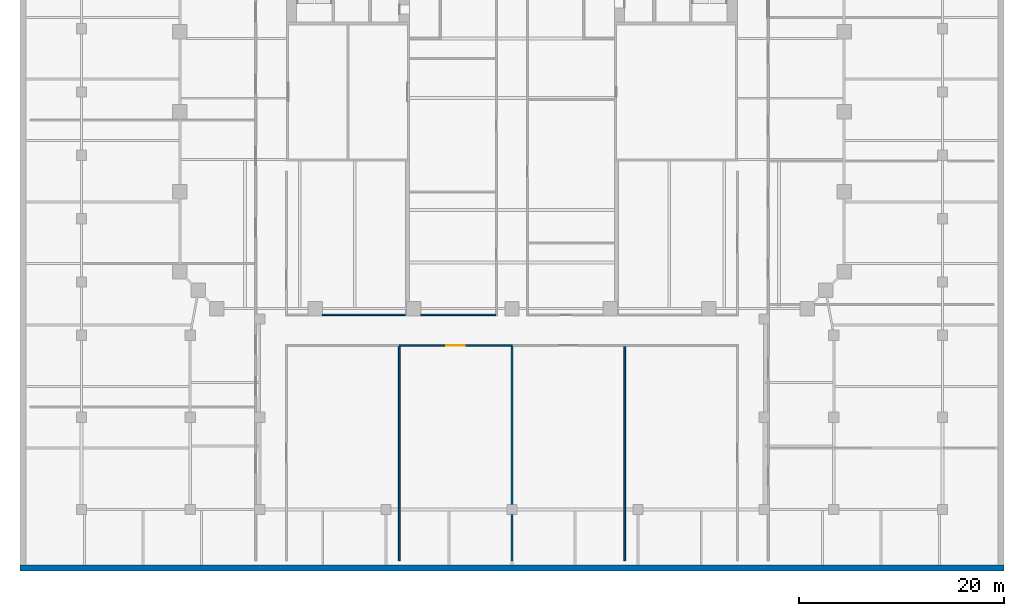
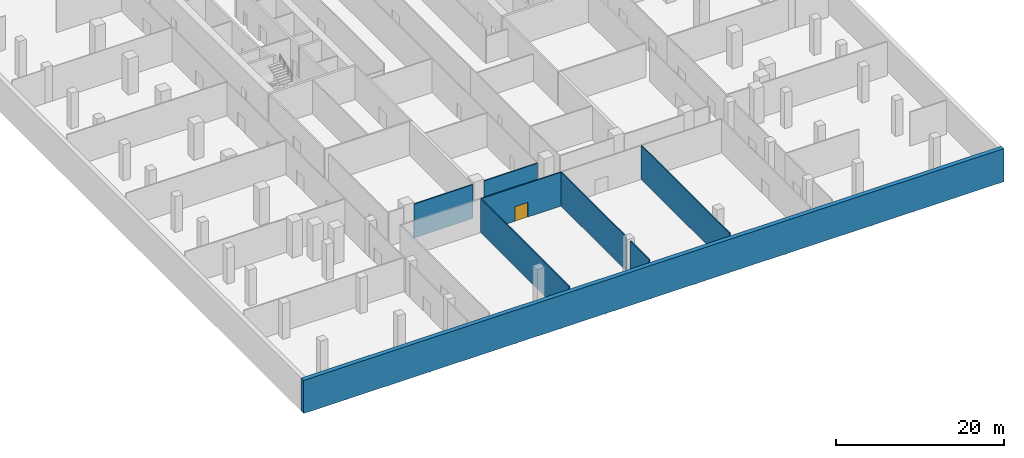
# One storey, part 6 of 15: 8 walls, 1 door, 1 opening.
"""IFC4 building model written with IfcOpenShell, lengths in metres."""

import ifcopenshell
import ifcopenshell.guid

model = None  # the IFC model being written
_history = None  # IfcOwnerHistory: only IFC2X3 demands one
_inside = {}  # id of a spatial element -> (the spatial element, [elements in it])
_under = {}  # id of a project, library or spatial element -> (it, [spatial elements below it])
_declared = {}  # id of a project -> (the project, [libraries it declares])
_typed = {}  # id of a type object -> (the type object, [elements of that type])
_made_of = {}  # id of a material, layer set ... -> (it, [elements and type objects made of it])


def new_model(schema):
    """Start an empty IFC model of exactly this schema.

    Asked for "IFC4X3", IfcOpenShell would pick the latest addendum, in which some entities
    have other attributes; the version numbers below select the first issue.
    IFC2X3 requires an IfcOwnerHistory on every rooted entity: one is made here for all.
    """
    global model, _history
    if schema == "IFC4X3":
        model = ifcopenshell.file(schema_version=(4, 3, 0, 0))
    else:
        model = ifcopenshell.file(schema=schema)
    _inside.clear()
    _under.clear()
    _declared.clear()
    _typed.clear()
    _made_of.clear()
    _history = None
    if model.schema == "IFC2X3":
        org = make("IfcOrganization", Name="unknown")
        user = make(
            "IfcPersonAndOrganization",
            ThePerson=make("IfcPerson", FamilyName="unknown"),
            TheOrganization=org,
        )
        app = make(
            "IfcApplication",
            ApplicationDeveloper=org,
            Version="unknown",
            ApplicationFullName="unknown",
            ApplicationIdentifier="unknown",
        )
        _history = make(
            "IfcOwnerHistory",
            OwningUser=user,
            OwningApplication=app,
            ChangeAction="ADDED",
            CreationDate=0,
        )
    return model


def make(cls, **values):
    """One entity of the class cls with the attributes given. An attribute that is None is left unset."""
    return model.create_entity(
        cls, **{name: value for name, value in values.items() if value is not None}
    )


def rooted(cls, **values):
    """An entity with a GlobalId (a new one), such as an element, a storey or a relation."""
    return make(cls, GlobalId=ifcopenshell.guid.new(), OwnerHistory=_history, **values)


def si_unit(unit_type, name, prefix=None):
    """IfcSIUnit, for example si_unit("LENGTHUNIT", "METRE", prefix="MILLI")."""
    return make("IfcSIUnit", UnitType=unit_type, Prefix=prefix, Name=name)


def assignment(units):
    """IfcUnitAssignment: the units of a project."""
    return None if units is None else make("IfcUnitAssignment", Units=units)


def point(xyz):
    """IfcCartesianPoint."""
    return None if xyz is None else make("IfcCartesianPoint", Coordinates=xyz)


def direction(xyz):
    """IfcDirection."""
    return None if xyz is None else make("IfcDirection", DirectionRatios=xyz)


def frame(location, z_axis=None, x_axis=None):
    """IfcAxis2Placement3D, a coordinate frame: its origin and axes. An axis left out is left unset."""
    return make(
        "IfcAxis2Placement3D",
        Location=point(location),
        Axis=direction(z_axis),
        RefDirection=direction(x_axis),
    )


def frame_2d(location, x_axis=None):
    """IfcAxis2Placement2D, a coordinate frame in the plane: its origin and x axis."""
    return make(
        "IfcAxis2Placement2D", Location=point(location), RefDirection=direction(x_axis)
    )


def origin():
    """The frame at (0, 0, 0) with its axes left unset."""
    return frame((0.0, 0.0, 0.0))


def place(relative_to, where):
    """IfcLocalPlacement: puts the frame where relative to a parent placement (None: the world)."""
    return make(
        "IfcLocalPlacement", PlacementRelTo=relative_to, RelativePlacement=where
    )


def context(
    kind, dimensions, precision=None, world=None, true_north=None, identifier=None
):
    """IfcGeometricRepresentationContext, for example the 3D "Model" context."""
    return make(
        "IfcGeometricRepresentationContext",
        ContextIdentifier=identifier,
        ContextType=kind,
        CoordinateSpaceDimension=dimensions,
        Precision=precision,
        WorldCoordinateSystem=world,
        TrueNorth=true_north,
    )


def subcontext(parent, identifier, kind, view, scale=None):
    """IfcGeometricRepresentationSubContext, for example "Body" below "Model"."""
    return make(
        "IfcGeometricRepresentationSubContext",
        ContextIdentifier=identifier,
        ContextType=kind,
        ParentContext=parent,
        TargetScale=scale,
        TargetView=view,
    )


def project(units=None, contexts=None):
    """IfcProject with its units and contexts."""
    return rooted(
        "IfcProject",
        Name="project",
        RepresentationContexts=contexts,
        UnitsInContext=assignment(units),
    )


def spatial(cls, under=None, at=None, **own):
    """A site, building, storey or space (cls), placed at a placement, below another one or the project."""
    s = rooted(cls, ObjectPlacement=at, **own)
    if under is not None:
        _under.setdefault(under.id(), (under, []))[1].append(s)
    return s


def profile(cls, at=None, kind="AREA", **sizes):
    """A parametric profile (cls). Its sizes go by their IFC names, for example OverallWidth=200.0."""
    return make(cls, ProfileType=kind, Position=at, **sizes)


def rectangle(**sizes):
    """IfcRectangleProfileDef."""
    return profile("IfcRectangleProfileDef", **sizes)


def extrude(swept, where, along, depth):
    """IfcExtrudedAreaSolid: the profile swept, set in the frame where, extruded along a direction by depth."""
    return make(
        "IfcExtrudedAreaSolid",
        SweptArea=swept,
        Position=where,
        ExtrudedDirection=direction(along),
        Depth=depth,
    )


def shape(context_of_items, identifier, shape_type, items):
    """IfcShapeRepresentation: the items that make up one representation, for example the "Body"."""
    return make(
        "IfcShapeRepresentation",
        ContextOfItems=context_of_items,
        RepresentationIdentifier=identifier,
        RepresentationType=shape_type,
        Items=items,
    )


def material(Name=None, Category=None):
    """IfcMaterial."""
    return make("IfcMaterial", Name=Name, Category=Category)


def layer(
    of_material, thickness, ventilated=None, Name=None, Category=None, Priority=None
):
    """IfcMaterialLayer: one layer of a wall or slab, of a material (None: an air gap)."""
    return make(
        "IfcMaterialLayer",
        Material=of_material,
        LayerThickness=thickness,
        IsVentilated=ventilated,
        Name=Name,
        Category=Category,
        Priority=Priority,
    )


def layer_set(layers, Name=None):
    """IfcMaterialLayerSet."""
    return make("IfcMaterialLayerSet", MaterialLayers=layers, LayerSetName=Name)


def made_of(thing, what):
    """Note that an element or type object is made of a material, layer set ...; save() writes the relation."""
    if what is not None:
        _made_of.setdefault(what.id(), (what, []))[1].append(thing)
    return thing


def type_object(cls, material=None, **own):
    """A type object (cls), such as IfcWallType, which elements share."""
    return made_of(rooted(cls, **own), material)


def element(
    cls,
    number,
    at=None,
    inside=None,
    cuts=None,
    type_object=None,
    material=None,
    context=None,
    identifier="Body",
    shape_type=None,
    held_by="IfcProductDefinitionShape",
    body=None,
    shapes=None,
    **own,
):
    """One element of the class cls, such as IfcWall. Its Tag is "e" and its number.

    at: its placement. inside: the storey or other place that contains it. cuts: it is an
    opening in that element (IfcRelVoidsElement). A single representation is given by context,
    identifier, shape_type and body (its items); several are given by shapes. held_by: the class
    of the entity that holds the representations. save() writes the other relations.
    """
    e = rooted(cls, Tag="e%d" % number, ObjectPlacement=at, **own)
    if body is not None:
        shapes = [shape(context, identifier, shape_type, body)]
    if shapes is not None:
        e.Representation = make(held_by, Representations=shapes)
    if inside is not None:
        _inside.setdefault(inside.id(), (inside, []))[1].append(e)
    if cuts is not None:
        rooted(
            "IfcRelVoidsElement", RelatingBuildingElement=cuts, RelatedOpeningElement=e
        )
    if type_object is not None:
        _typed.setdefault(type_object.id(), (type_object, []))[1].append(e)
    return made_of(e, material)


def fill(opening, filler):
    """IfcRelFillsElement: the door or window that sits in an opening."""
    return rooted(
        "IfcRelFillsElement",
        RelatingOpeningElement=opening,
        RelatedBuildingElement=filler,
    )


def aggregate(whole, parts):
    """IfcRelAggregates: a whole, such as a stair, and the parts it consists of."""
    return rooted("IfcRelAggregates", RelatingObject=whole, RelatedObjects=parts)


def save(model, path):
    """Write the relations noted so far, then the file.

    IfcRelAggregates (storeys below a building ...), IfcRelContainedInSpatialStructure (elements
    in a storey), IfcRelDefinesByType, IfcRelAssociatesMaterial and IfcRelDeclares: one each for
    every whole, place, type object, material and project.
    """
    for whole, parts in _under.values():
        aggregate(whole, parts)
    for where, things in _inside.values():
        rooted(
            "IfcRelContainedInSpatialStructure",
            RelatedElements=things,
            RelatingStructure=where,
        )
    for kind, things in _typed.values():
        rooted("IfcRelDefinesByType", RelatedObjects=things, RelatingType=kind)
    for what, things in _made_of.values():
        rooted("IfcRelAssociatesMaterial", RelatedObjects=things, RelatingMaterial=what)
    for by, libraries in _declared.values():
        rooted("IfcRelDeclares", RelatingContext=by, RelatedDefinitions=libraries)
    model.write(path)


model = new_model("IFC4")

# Units and contexts
model_context = context("Model", 3, precision=1e-05, world=origin(), true_north=direction((0.0, 1.0)))
body_context = subcontext(model_context, "Body", "Model", "MODEL_VIEW")
ifc_project = project(units=[si_unit("LENGTHUNIT", "METRE"), si_unit("AREAUNIT", "SQUARE_METRE"), si_unit("VOLUMEUNIT", "CUBIC_METRE"), si_unit("PLANEANGLEUNIT", "RADIAN"), si_unit("MASSUNIT", "GRAM", prefix="KILO")], contexts=[model_context])

# Site, building, storey
site_placement = place(None, origin())
site = spatial("IfcSite", under=ifc_project, at=site_placement, CompositionType="ELEMENT")
building_placement = place(site_placement, origin())
building = spatial("IfcBuilding", under=site, at=building_placement, Name="Ogive Exchange Tower", CompositionType="ELEMENT")
storey_placement = place(building_placement, frame((0.0, 0.0, -5.199951171875)))
storey = spatial("IfcBuildingStorey", under=building, at=storey_placement, Name="B1", CompositionType="ELEMENT", Elevation=-5.199951171875)

# Wall
ifc_material_1 = material(Name="Concrete C50/60", Category="concrete")
ifc_layer_1 = layer(ifc_material_1, 0.60009765625)
ifc_layer_set_1 = layer_set([ifc_layer_1], Name="Concrete C50/60 retaining wall 600")
wall_type_1 = type_object("IfcWallType", Name="Concrete C50/60 retaining wall 600", PredefinedType="SOLIDWALL", material=ifc_layer_set_1)
wall_1_placement = place(storey_placement, frame((-48.0, -55.699951171875, 0.0), z_axis=(0.0, 0.0, 1.0), x_axis=(1.0, 0.0, 0.0)))
element("IfcWall", 1, at=wall_1_placement, inside=storey, type_object=wall_type_1, Name="Retaining wall S", PredefinedType="SOLIDWALL", context=body_context, shape_type="SweptSolid", body=[
    extrude(rectangle(XDim=96.0, YDim=0.60009765625, at=frame_2d((48.0, 0.0))), origin(), (0.0, 0.0, 1.0), 4.800048828125),
])

# Wall, opening, door
ifc_material_2 = material(Name="Fire partition EI 60 150")
ifc_layer_2 = layer(ifc_material_2, 0.14990234375)
ifc_layer_set_2 = layer_set([ifc_layer_2], Name="Fire partition EI 60 150")
wall_type_2 = type_object("IfcWallType", Name="Fire partition EI 60 150", PredefinedType="PARTITIONING", material=ifc_layer_set_2)
wall_2_placement = place(storey_placement, frame((-11.0, -34.0, 0.0), z_axis=(0.0, 0.0, 1.0), x_axis=(1.0, 0.0, 0.0)))
wall_2 = element("IfcWall", 2, at=wall_2_placement, inside=storey, type_object=wall_type_2, Name="B1-PWL-005", PredefinedType="PARTITIONING", context=body_context, shape_type="SweptSolid", body=[
    extrude(rectangle(XDim=11.0, YDim=0.14990234375, at=frame_2d((5.5, 0.0))), origin(), (0.0, 0.0, 1.0), 4.89990234375),
])
opening_placement = place(wall_2_placement, frame((4.60009765625, 0.0, 0.0)))
opening = element("IfcOpeningElement", 3, at=opening_placement, cuts=wall_2, Name="Opening B1-I30", PredefinedType="OPENING", context=body_context, shape_type="SweptSolid", body=[
    extrude(rectangle(XDim=1.800048828125, YDim=2.10009765625, at=frame_2d((0.89990234375, 1.050048828125))), frame((0.0, 0.0849609375, 0.0), z_axis=(0.0, -1.0, 0.0), x_axis=(1.0, 0.0, 0.0)), (0.0, 0.0, 1.0), 0.169921875),
])
ifc_material_3 = material(Name="Fire door FD 30S 1800 x 2100")
door_type = type_object("IfcDoorType", Name="Fire door FD 30S 1800 x 2100", OperationType="DOUBLE_DOOR_SINGLE_SWING", PredefinedType="DOOR", material=ifc_material_3)
door_placement = place(opening_placement, origin())
door = element("IfcDoor", 4, at=door_placement, inside=storey, type_object=door_type, Name="B1-IDR-030", ObjectType="DT4", OperationType="SINGLE_SWING_RIGHT", OverallHeight=2.10009765625, OverallWidth=1.800048828125, PredefinedType="DOOR", context=body_context, shape_type="SweptSolid", body=[
    extrude(rectangle(XDim=1.800048828125, YDim=2.10009765625, at=frame_2d((0.89990234375, 1.050048828125))), frame((0.0, 0.02490234375, 0.0), z_axis=(0.0, -1.0, 0.0), x_axis=(1.0, 0.0, 0.0)), (0.0, 0.0, 1.0), 0.050048828125),
])
fill(opening, door)

# Walls
wall_3_placement = place(storey_placement, frame((-18.5, -31.0, 0.0), z_axis=(0.0, 0.0, 1.0), x_axis=(1.0, 0.0, 0.0)))
element("IfcWall", 5, at=wall_3_placement, inside=storey, type_object=wall_type_2, Name="B1-PWL-009", PredefinedType="PARTITIONING", context=body_context, shape_type="SweptSolid", body=[
    extrude(rectangle(XDim=8.10009765625, YDim=0.14990234375, at=frame_2d((4.050048828125, 0.0))), origin(), (0.0, 0.0, 1.0), 4.89990234375),
])
wall_4_placement = place(storey_placement, frame((-8.89990234375, -31.0, 0.0), z_axis=(0.0, 0.0, 1.0), x_axis=(1.0, 0.0, 0.0)))
element("IfcWall", 6, at=wall_4_placement, inside=storey, type_object=wall_type_2, Name="B1-PWL-010", PredefinedType="PARTITIONING", context=body_context, shape_type="SweptSolid", body=[
    extrude(rectangle(XDim=7.324951171875, YDim=0.14990234375, at=frame_2d((3.66259765625, 0.0))), origin(), (0.0, 0.0, 1.0), 4.89990234375),
])
wall_5_placement = place(storey_placement, frame((-11.0, -55.0, 0.0), z_axis=(0.0, 0.0, 1.0), x_axis=(0.0, 1.0, 0.0)))
element("IfcWall", 7, at=wall_5_placement, inside=storey, type_object=wall_type_2, Name="B1-PWL-052", PredefinedType="PARTITIONING", context=body_context, shape_type="SweptSolid", body=[
    extrude(rectangle(XDim=20.925048828125, YDim=0.14990234375, at=frame_2d((10.46240234375, 0.0))), origin(), (0.0, 0.0, 1.0), 4.89990234375),
])
wall_6_placement = place(storey_placement, frame((0.0, -55.0, 0.0), z_axis=(0.0, 0.0, 1.0), x_axis=(0.0, 1.0, 0.0)))
element("IfcWall", 8, at=wall_6_placement, inside=storey, type_object=wall_type_2, Name="B1-PWL-057", PredefinedType="PARTITIONING", context=body_context, shape_type="SweptSolid", body=[
    extrude(rectangle(XDim=4.5, YDim=0.14990234375, at=frame_2d((2.25, 0.0))), origin(), (0.0, 0.0, 1.0), 4.89990234375),
])
wall_7_placement = place(storey_placement, frame((0.0, -49.5, 0.0), z_axis=(0.0, 0.0, 1.0), x_axis=(0.0, 1.0, 0.0)))
element("IfcWall", 9, at=wall_7_placement, inside=storey, type_object=wall_type_2, Name="B1-PWL-058", PredefinedType="PARTITIONING", context=body_context, shape_type="SweptSolid", body=[
    extrude(rectangle(XDim=15.425048828125, YDim=0.14990234375, at=frame_2d((7.71240234375, 0.0))), origin(), (0.0, 0.0, 1.0), 4.89990234375),
])
wall_8_placement = place(storey_placement, frame((11.0, -55.0, 0.0), z_axis=(0.0, 0.0, 1.0), x_axis=(0.0, 1.0, 0.0)))
element("IfcWall", 10, at=wall_8_placement, inside=storey, type_object=wall_type_2, Name="B1-PWL-065", PredefinedType="PARTITIONING", context=body_context, shape_type="SweptSolid", body=[
    extrude(rectangle(XDim=20.925048828125, YDim=0.14990234375, at=frame_2d((10.46240234375, 0.0))), origin(), (0.0, 0.0, 1.0), 4.89990234375),
])

save(model, "model.ifc")
